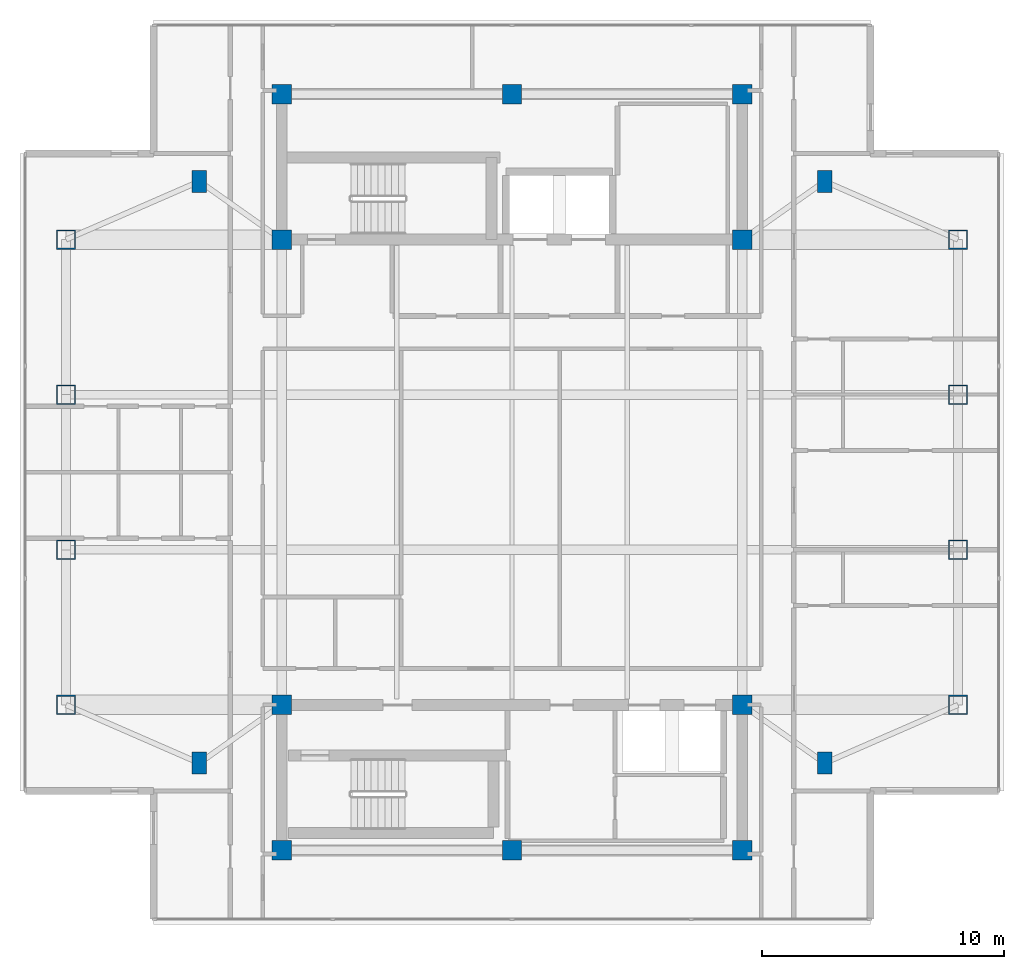
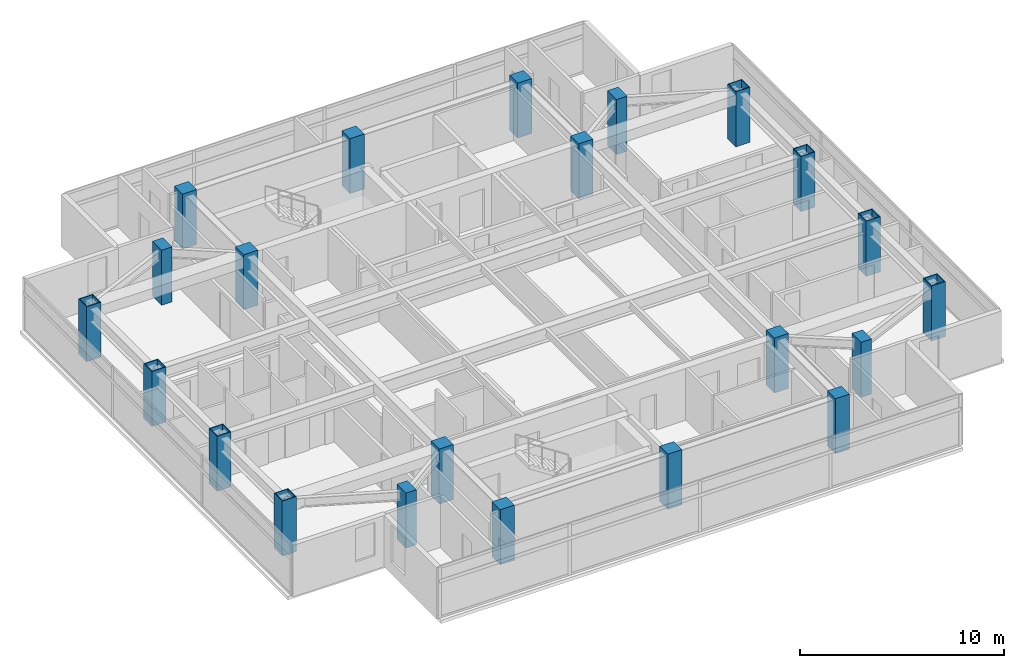
# One storey, part 1 of 12: 22 columns.
"""IFC4 building model written with IfcOpenShell, lengths in metres."""

from ifc_helpers import new_model, si_unit, direction, frame, origin, origin_2d, place, context, subcontext, project, spatial, rectangle, hollow_rectangle, extrude, material, material_profile, profile_set, type_object, element, save


model = new_model("IFC4")

# Units and contexts
model_context = context("Model", 3, precision=1e-05, world=origin(), true_north=direction((0.0, 1.0)))
body_context = subcontext(model_context, "Body", "Model", "MODEL_VIEW")
ifc_project = project(units=[si_unit("LENGTHUNIT", "METRE"), si_unit("AREAUNIT", "SQUARE_METRE"), si_unit("VOLUMEUNIT", "CUBIC_METRE"), si_unit("PLANEANGLEUNIT", "RADIAN"), si_unit("MASSUNIT", "GRAM", prefix="KILO")], contexts=[model_context])

# Site, building, storey
site_placement = place(None, origin())
site = spatial("IfcSite", under=ifc_project, at=site_placement, CompositionType="ELEMENT")
building_placement = place(site_placement, origin())
building = spatial("IfcBuilding", under=site, at=building_placement, Name="Mirazonda Arch Towers", CompositionType="ELEMENT")
storey_placement = place(building_placement, frame((0.0, 0.0, 219.39990234375)))
storey = spatial("IfcBuildingStorey", under=building, at=storey_placement, Name="L62", CompositionType="ELEMENT", Elevation=219.39990234375)

# Columns
ifc_material_1 = material(Name="Concrete C50/60", Category="concrete")
ifc_material_profile_1 = material_profile(ifc_material_1, rectangle(XDim=0.800048828125, YDim=0.800048828125, at=origin_2d()), Name="RC800x800")
ifc_profile_set_1 = profile_set([ifc_material_profile_1], Name="Concrete C50/60")
column_type_1 = type_object("IfcColumnType", Name="COL-INT-RC800x800", PredefinedType="COLUMN", material=ifc_profile_set_1)
for number, where, z_axis, x_axis, name in (
    (1, (11.0, 12.39990234375, 0.0), (0.0, 0.0, 1.0), (1.0, 0.0, 0.0), "L62 T1 Core Column 01"),
    (2, (20.5, 12.39990234375, 0.0), (0.0, 0.0, 1.0), (1.0, 0.0, 0.0), "L62 T1 Core Column 02"),
    (3, (30.0, 12.39990234375, 0.0), (0.0, 0.0, 1.0), (1.0, 0.0, 0.0), "L62 T1 Core Column 03"),
    (4, (11.0, 18.39990234375, 0.0), (0.0, 0.0, 1.0), (1.0, 0.0, 0.0), "L62 T1 Core Column 04"),
    (5, (30.0, 18.39990234375, 0.0), (0.0, 0.0, 1.0), (1.0, 0.0, 0.0), "L62 T1 Core Column 05"),
    (6, (11.0, 37.60009765625, 0.0), (0.0, 0.0, 1.0), (1.0, 0.0, 0.0), "L62 T1 Core Column 06"),
    (7, (30.0, 37.60009765625, 0.0), (0.0, 0.0, 1.0), (1.0, 0.0, 0.0), "L62 T1 Core Column 07"),
    (8, (11.0, 43.60009765625, 0.0), (0.0, 0.0, 1.0), (1.0, 0.0, 0.0), "L62 T1 Core Column 08"),
    (9, (20.5, 43.60009765625, 0.0), (0.0, 0.0, 1.0), (1.0, 0.0, 0.0), "L62 T1 Core Column 09"),
    (10, (30.0, 43.60009765625, 0.0), (0.0, 0.0, 1.0), (1.0, 0.0, 0.0), "L62 T1 Core Column 10"),
):
    element("IfcColumn", number, at=place(storey_placement, frame(where, z_axis=z_axis, x_axis=x_axis)), inside=storey, type_object=column_type_1, Name=name, PredefinedType="COLUMN", context=body_context, shape_type="SweptSolid", body=[
        extrude(rectangle(XDim=0.800048828125, YDim=0.800048828125, at=origin_2d()), origin(), (0.0, 0.0, 1.0), 3.300048828125),
    ])
ifc_material_2 = material(Name="Steel ASTM A572 Grade 50", Category="steel")
ifc_material_profile_2 = material_profile(ifc_material_2, hollow_rectangle(XDim=0.800048828125, YDim=0.800048828125, WallThickness=0.044921875, at=origin_2d()), Name="BOX800x800x45")
ifc_profile_set_2 = profile_set([ifc_material_profile_2], Name="Steel ASTM A572 Grade 50")
column_type_2 = type_object("IfcColumnType", Name="MCOL-EXT-BOX800x800x45", PredefinedType="COLUMN", material=ifc_profile_set_2)
for number, where, z_axis, x_axis, name in (
    (11, (2.10009765625, 18.39990234375, 0.0), (0.0, 0.0, 1.0), (1.0, 0.0, 0.0), "L62 T1 Composite Mega-Column 01"),
    (12, (2.10009765625, 24.800048828125, 0.0), (0.0, 0.0, 1.0), (1.0, 0.0, 0.0), "L62 T1 Composite Mega-Column 02"),
    (13, (2.10009765625, 31.199951171875, 0.0), (0.0, 0.0, 1.0), (1.0, 0.0, 0.0), "L62 T1 Composite Mega-Column 03"),
    (14, (2.10009765625, 37.60009765625, 0.0), (0.0, 0.0, 1.0), (1.0, 0.0, 0.0), "L62 T1 Composite Mega-Column 04"),
    (15, (38.89990234375, 18.39990234375, 0.0), (0.0, 0.0, 1.0), (1.0, 0.0, 0.0), "L62 T1 Composite Mega-Column 05"),
    (16, (38.89990234375, 24.800048828125, 0.0), (0.0, 0.0, 1.0), (1.0, 0.0, 0.0), "L62 T1 Composite Mega-Column 06"),
    (17, (38.89990234375, 31.199951171875, 0.0), (0.0, 0.0, 1.0), (1.0, 0.0, 0.0), "L62 T1 Composite Mega-Column 07"),
    (18, (38.89990234375, 37.60009765625, 0.0), (0.0, 0.0, 1.0), (1.0, 0.0, 0.0), "L62 T1 Composite Mega-Column 08"),
):
    element("IfcColumn", number, at=place(storey_placement, frame(where, z_axis=z_axis, x_axis=x_axis)), inside=storey, type_object=column_type_2, Name=name, PredefinedType="COLUMN", context=body_context, shape_type="SweptSolid", body=[
        extrude(hollow_rectangle(XDim=0.800048828125, YDim=0.800048828125, WallThickness=0.044921875, at=origin_2d()), origin(), (0.0, 0.0, 1.0), 3.300048828125),
    ])
ifc_material_profile_3 = material_profile(ifc_material_1, rectangle(XDim=0.60009765625, YDim=0.89990234375, at=origin_2d()), Name="RC900x600")
ifc_profile_set_3 = profile_set([ifc_material_profile_3], Name="Concrete C50/60")
column_type_3 = type_object("IfcColumnType", Name="PIL-EXT-RC900x600", PredefinedType="PILASTER", material=ifc_profile_set_3)
for number, where, z_axis, x_axis, name in (
    (19, (7.60009765625, 16.0, 0.0), (0.0, 0.0, 1.0), (1.0, 0.0, 0.0), "L62 T1 Corner Pilaster 01"),
    (20, (33.39990234375, 16.0, 0.0), (0.0, 0.0, 1.0), (1.0, 0.0, 0.0), "L62 T1 Corner Pilaster 02"),
    (21, (7.60009765625, 40.0, 0.0), (0.0, 0.0, 1.0), (1.0, 0.0, 0.0), "L62 T1 Corner Pilaster 03"),
    (22, (33.39990234375, 40.0, 0.0), (0.0, 0.0, 1.0), (1.0, 0.0, 0.0), "L62 T1 Corner Pilaster 04"),
):
    element("IfcColumn", number, at=place(storey_placement, frame(where, z_axis=z_axis, x_axis=x_axis)), inside=storey, type_object=column_type_3, Name=name, PredefinedType="PILASTER", context=body_context, shape_type="SweptSolid", body=[
        extrude(rectangle(XDim=0.60009765625, YDim=0.89990234375, at=origin_2d()), origin(), (0.0, 0.0, 1.0), 3.300048828125),
    ])

save(model, "model.ifc")
